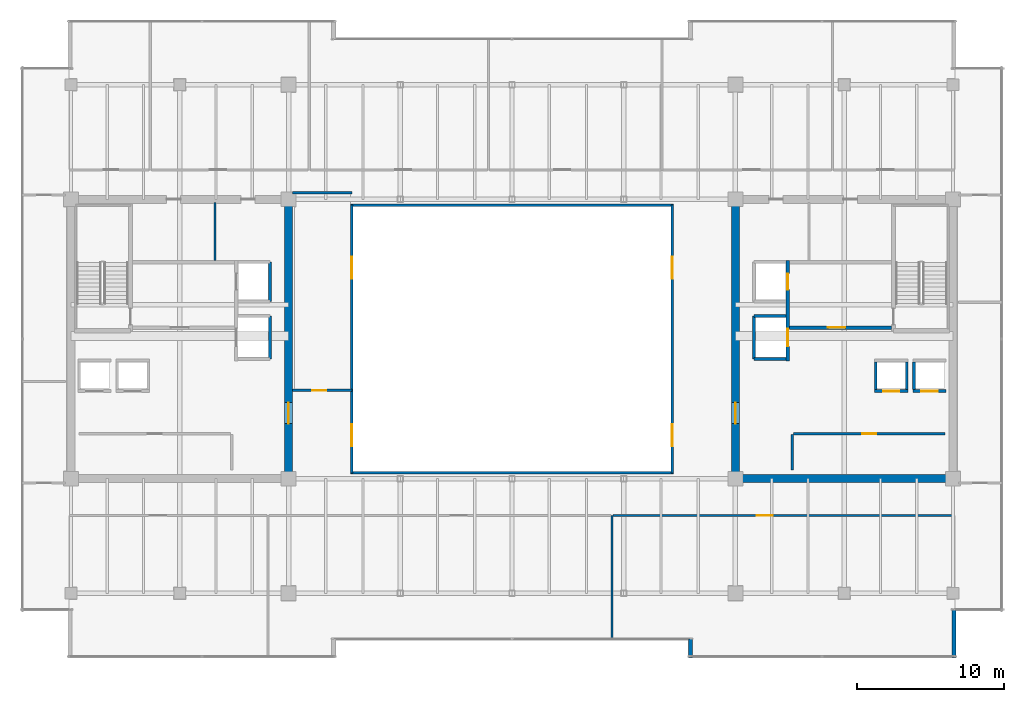
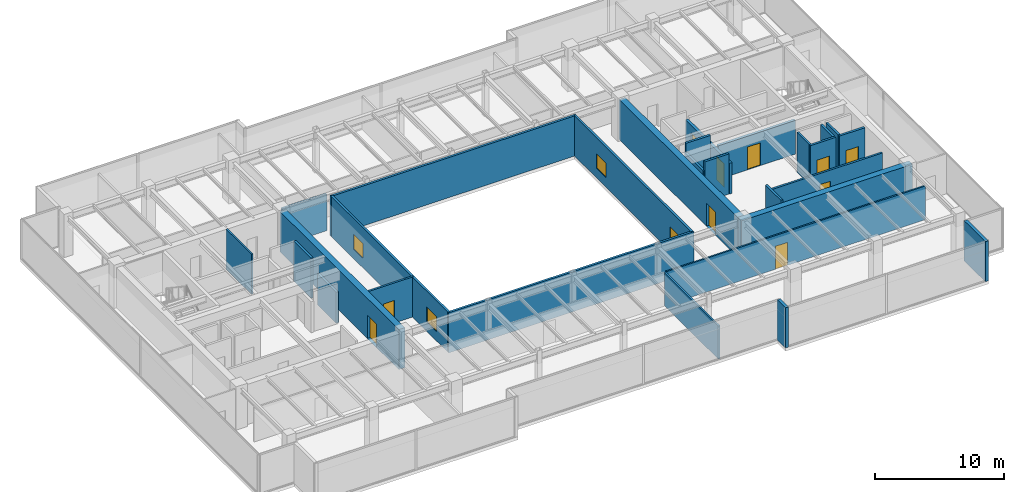
# One storey, part 29 of 35: 28 walls, 10 doors, 4 windows, 14 openings.
"""IFC4 building model written with IfcOpenShell, lengths in metres."""

from ifc_helpers import new_model, si_unit, direction, frame, frame_2d, origin, place, context, subcontext, project, spatial, rectangle, extrude, source, transform, mapped, material, layer, layer_set, type_object, type_shapes, element, fill, save


model = new_model("IFC4")

# Units and contexts
model_context = context("Model", 3, precision=1e-05, world=origin(), true_north=direction((0.0, 1.0)))
body_context = subcontext(model_context, "Body", "Model", "MODEL_VIEW")
ifc_project = project(units=[si_unit("LENGTHUNIT", "METRE"), si_unit("AREAUNIT", "SQUARE_METRE"), si_unit("VOLUMEUNIT", "CUBIC_METRE"), si_unit("PLANEANGLEUNIT", "RADIAN"), si_unit("MASSUNIT", "GRAM", prefix="KILO")], contexts=[model_context])

# Site, building, storey
site_placement = place(None, origin())
site = spatial("IfcSite", under=ifc_project, at=site_placement, CompositionType="ELEMENT")
building_placement = place(site_placement, origin())
building = spatial("IfcBuilding", under=site, at=building_placement, Name="Haelvirn Gate Laboratories", CompositionType="ELEMENT")
storey_placement = place(building_placement, frame((0.0, 0.0, 234.199951171875)))
storey = spatial("IfcBuildingStorey", under=building, at=storey_placement, Name="L56", CompositionType="ELEMENT", Elevation=234.199951171875)

# Walls
ifc_material_1 = material(Name="Thermally-broken bronze aluminium rainscreen & mineral wool", Category="aluminium")
ifc_layer_1 = layer(ifc_material_1, 0.280029296875, Name="EW-TERR-280")
ifc_layer_set_1 = layer_set([ifc_layer_1], Name="Thermally-broken bronze aluminium rainscreen & mineral wool")
wall_type_1 = type_object("IfcWallType", Name="EW-TERR-280", PredefinedType="STANDARD", material=ifc_layer_set_1)
wall_1_placement = place(storey_placement, frame((49.5400390625, 3.89306640625, 0.0), z_axis=(0.0, 0.0, 1.0), x_axis=(0.0, -1.0, 0.0)))
element("IfcWall", 1, at=wall_1_placement, inside=storey, type_object=wall_type_1, Name="L56 Atrium Recess Bronze Return Wall 03", PredefinedType="STANDARD", context=body_context, shape_type="SweptSolid", body=[
    extrude(rectangle(XDim=1.29296875, YDim=0.280029296875, at=frame_2d((0.646484375, 0.0))), origin(), (0.0, 0.0, 1.0), 3.800048828125),
])
wall_2_placement = place(storey_placement, frame((67.4599609375, 2.60009765625, 0.0), z_axis=(0.0, 0.0, 1.0), x_axis=(0.0, 1.0, 0.0)))
element("IfcWall", 2, at=wall_2_placement, inside=storey, type_object=wall_type_1, Name="L56 Atrium Recess Bronze Return Wall 05", PredefinedType="STANDARD", context=body_context, shape_type="SweptSolid", body=[
    extrude(rectangle(XDim=3.287841796875, YDim=0.280029296875, at=frame_2d((1.64404296875, 0.0))), origin(), (0.0, 0.0, 1.0), 3.800048828125),
])
ifc_material_2 = material(Name="Double-layer acoustic gypsum laboratory partition", Category="gypsum")
ifc_layer_2 = layer(ifc_material_2, 0.159912109375, Name="IW-ACOUST-160")
ifc_layer_set_2 = layer_set([ifc_layer_2], Name="Double-layer acoustic gypsum laboratory partition")
wall_type_2 = type_object("IfcWallType", Name="IW-ACOUST-160", PredefinedType="PARTITIONING", material=ifc_layer_set_2)
wall_3_placement = place(storey_placement, frame((44.199951171875, 3.909912109375, 0.0), z_axis=(0.0, 0.0, 1.0), x_axis=(0.0, 1.0, 0.0)))
element("IfcWall", 3, at=wall_3_placement, inside=storey, type_object=wall_type_2, Name="L56 Interior Wall IW-L56-SDIV-02", PredefinedType="PARTITIONING", context=body_context, shape_type="SweptSolid", body=[
    extrude(rectangle(XDim=8.380126953125, YDim=0.159912109375, at=frame_2d((4.18994140625, 0.0))), origin(), (0.0, 0.0, 1.0), 3.135009765625),
])
ifc_material_3 = material(Name="Fire-rated acoustic gypsum board partition", Category="gypsum")
ifc_layer_3 = layer(ifc_material_3, 0.175048828125, Name="IW-ACOUST-180")
ifc_layer_set_3 = layer_set([ifc_layer_3], Name="Fire-rated acoustic gypsum board partition")
wall_type_3 = type_object("IfcWallType", Name="IW-ACOUST-180", PredefinedType="PARTITIONING", material=ifc_layer_set_3)
wall_4_placement = place(storey_placement, frame((22.47509765625, 34.260009765625, 0.0), z_axis=(0.0, 0.0, 1.0), x_axis=(1.0, 0.0, 0.0)))
element("IfcWall", 4, at=wall_4_placement, inside=storey, type_object=wall_type_3, Name="L56 Interior Wall IW-L56-WPOD-N", PredefinedType="PARTITIONING", context=body_context, shape_type="SweptSolid", body=[
    extrude(rectangle(XDim=4.02490234375, YDim=0.175048828125, at=frame_2d((2.012451171875, 0.0))), origin(), (0.0, 0.0, 1.0), 3.485107421875),
])

# Wall, opening, door
wall_5_placement = place(storey_placement, frame((22.47509765625, 20.800048828125, 0.0), z_axis=(0.0, 0.0, 1.0), x_axis=(1.0, 0.0, 0.0)))
wall_5 = element("IfcWall", 5, at=wall_5_placement, inside=storey, type_object=wall_type_3, Name="L56 Interior Wall IW-L56-WPOD-S", PredefinedType="PARTITIONING", context=body_context, shape_type="SweptSolid", body=[
    extrude(rectangle(XDim=4.02490234375, YDim=0.175048828125, at=frame_2d((2.012451171875, 0.0))), origin(), (0.0, 0.0, 1.0), 3.800048828125),
])
opening_1_placement = place(wall_5_placement, frame((1.35009765625, 0.0, 0.0)))
opening_1 = element("IfcOpeningElement", 6, at=opening_1_placement, cuts=wall_5, Name="Opening FD4", PredefinedType="OPENING", context=body_context, shape_type="SweptSolid", body=[
    extrude(rectangle(XDim=0.949951171875, YDim=2.14990234375, at=frame_2d((0.47509765625, 1.074951171875))), frame((0.0, 0.09765625, 0.0), z_axis=(0.0, -1.0, 0.0), x_axis=(1.0, 0.0, 0.0)), (0.0, 0.0, 1.0), 0.195068359375),
])
ifc_material_4 = material(Name="Fire-rated steel SM355 core service door", Category="steel")
door_type_1 = type_object("IfcDoorType", Name="DR-FD-950", OperationType="NOTDEFINED", PredefinedType="DOOR", material=ifc_material_4)
shared_shape_1 = source(origin(), body_context, "Body", "SweptSolid", [
    extrude(rectangle(XDim=0.949951171875, YDim=2.14990234375, at=frame_2d((0.47509765625, 1.074951171875))), frame((0.0, 0.02490234375, 0.0), z_axis=(0.0, -1.0, 0.0), x_axis=(1.0, 0.0, 0.0)), (0.0, 0.0, 1.0), 0.050048828125),
])
type_shapes(door_type_1, [shared_shape_1])
door_1_placement = place(opening_1_placement, origin())
door_1 = element("IfcDoor", 7, at=door_1_placement, inside=storey, type_object=door_type_1, Name="L56 High-Zone Computational Suite Door", OperationType="SINGLE_SWING_RIGHT", OverallHeight=2.14990234375, OverallWidth=0.949951171875, PredefinedType="DOOR", context=body_context, shape_type="MappedRepresentation", body=[
    mapped(shared_shape_1, transform((0.0, 0.0, 0.0), scale=1.0)),
])
fill(opening_1, door_1)

# Wall, openings, windows
ifc_material_5 = material(Name="Tempered fire-rated borosilicate glass & anodised aluminium", Category="aluminium")
ifc_layer_4 = layer(ifc_material_5, 0.195068359375, Name="IW-GLAZ-200")
ifc_layer_set_4 = layer_set([ifc_layer_4], Name="Tempered fire-rated borosilicate glass & anodised aluminium")
wall_type_4 = type_object("IfcWallType", Name="IW-GLAZ-200", PredefinedType="SOLIDWALL", material=ifc_layer_set_4)
wall_6_placement = place(storey_placement, frame((26.5, 15.199951171875, 0.0), z_axis=(0.0, 0.0, 1.0), x_axis=(0.0, 1.0, 0.0)))
wall_6 = element("IfcWall", 8, at=wall_6_placement, inside=storey, type_object=wall_type_4, Name="L56 Interior Wall IW-L56-ATRIUM-W", PredefinedType="SOLIDWALL", context=body_context, shape_type="SweptSolid", body=[
    extrude(rectangle(XDim=18.199951171875, YDim=0.195068359375, at=frame_2d((9.10009765625, 0.0))), origin(), (0.0, 0.0, 1.0), 3.800048828125),
])
opening_2_placement = place(wall_6_placement, frame((1.800048828125, 0.0, 0.89990234375)))
opening_2 = element("IfcOpeningElement", 9, at=opening_2_placement, cuts=wall_6, Name="Opening W5", PredefinedType="OPENING", context=body_context, shape_type="SweptSolid", body=[
    extrude(rectangle(XDim=1.5, YDim=1.39990234375, at=frame_2d((0.75, 0.699951171875))), frame((0.0, 0.107421875, 0.0), z_axis=(0.0, -1.0, 0.0), x_axis=(1.0, 0.0, 0.0)), (0.0, 0.0, 1.0), 0.215087890625),
])
opening_3_placement = place(wall_6_placement, frame((13.199951171875, 0.0, 0.89990234375)))
opening_3 = element("IfcOpeningElement", 10, at=opening_3_placement, cuts=wall_6, Name="Opening W5", PredefinedType="OPENING", context=body_context, shape_type="SweptSolid", body=[
    extrude(rectangle(XDim=1.5, YDim=1.39990234375, at=frame_2d((0.75, 0.699951171875))), frame((0.0, 0.107421875, 0.0), z_axis=(0.0, -1.0, 0.0), x_axis=(1.0, 0.0, 0.0)), (0.0, 0.0, 1.0), 0.215087890625),
])
ifc_material_6 = material(Name="Fire-rated EI 120 borosilicate atrium vision glazing", Category="glass")
window_type = type_object("IfcWindowType", Name="WN-ATR-1500", PartitioningType="SINGLE_PANEL", PredefinedType="WINDOW", material=ifc_material_6)
shared_shape_2 = source(origin(), body_context, "Body", "SweptSolid", [
    extrude(rectangle(XDim=1.5, YDim=1.39990234375, at=frame_2d((0.75, 0.699951171875))), frame((0.0, 0.030029296875, 0.0), z_axis=(0.0, -1.0, 0.0), x_axis=(1.0, 0.0, 0.0)), (0.0, 0.0, 1.0), 0.06005859375),
])
type_shapes(window_type, [shared_shape_2])
window_1_placement = place(opening_2_placement, origin())
window_1 = element("IfcWindow", 11, at=window_1_placement, inside=storey, type_object=window_type, Name="L56 Atrium Observation Window 1", OverallHeight=1.39990234375, OverallWidth=1.5, PartitioningType="SINGLE_PANEL", PredefinedType="WINDOW", context=body_context, shape_type="MappedRepresentation", body=[
    mapped(shared_shape_2, transform((0.0, 0.0, 0.0), scale=1.0)),
])
fill(opening_2, window_1)
window_2_placement = place(opening_3_placement, origin())
window_2 = element("IfcWindow", 12, at=window_2_placement, inside=storey, type_object=window_type, Name="L56 Atrium Observation Window 2", OverallHeight=1.39990234375, OverallWidth=1.5, PartitioningType="SINGLE_PANEL", PredefinedType="WINDOW", context=body_context, shape_type="MappedRepresentation", body=[
    mapped(shared_shape_2, transform((0.0, 0.0, 0.0), scale=1.0)),
])
fill(opening_3, window_2)

wall_7_placement = place(storey_placement, frame((48.300048828125, 15.199951171875, 0.0), z_axis=(0.0, 0.0, 1.0), x_axis=(0.0, 1.0, 0.0)))
wall_7 = element("IfcWall", 13, at=wall_7_placement, inside=storey, type_object=wall_type_4, Name="L56 Interior Wall IW-L56-ATRIUM-E", PredefinedType="SOLIDWALL", context=body_context, shape_type="SweptSolid", body=[
    extrude(rectangle(XDim=18.199951171875, YDim=0.195068359375, at=frame_2d((9.10009765625, 0.0))), origin(), (0.0, 0.0, 1.0), 3.800048828125),
])
opening_4_placement = place(wall_7_placement, frame((1.800048828125, 0.0, 0.89990234375)))
opening_4 = element("IfcOpeningElement", 14, at=opening_4_placement, cuts=wall_7, Name="Opening W5", PredefinedType="OPENING", context=body_context, shape_type="SweptSolid", body=[
    extrude(rectangle(XDim=1.5, YDim=1.39990234375, at=frame_2d((0.75, 0.699951171875))), frame((0.0, 0.107421875, 0.0), z_axis=(0.0, -1.0, 0.0), x_axis=(1.0, 0.0, 0.0)), (0.0, 0.0, 1.0), 0.215087890625),
])
opening_5_placement = place(wall_7_placement, frame((13.199951171875, 0.0, 0.89990234375)))
opening_5 = element("IfcOpeningElement", 15, at=opening_5_placement, cuts=wall_7, Name="Opening W5", PredefinedType="OPENING", context=body_context, shape_type="SweptSolid", body=[
    extrude(rectangle(XDim=1.5, YDim=1.39990234375, at=frame_2d((0.75, 0.699951171875))), frame((0.0, 0.107421875, 0.0), z_axis=(0.0, -1.0, 0.0), x_axis=(1.0, 0.0, 0.0)), (0.0, 0.0, 1.0), 0.215087890625),
])
window_3_placement = place(opening_4_placement, origin())
window_3 = element("IfcWindow", 16, at=window_3_placement, inside=storey, type_object=window_type, Name="L56 Atrium Observation Window 1", OverallHeight=1.39990234375, OverallWidth=1.5, PartitioningType="SINGLE_PANEL", PredefinedType="WINDOW", context=body_context, shape_type="MappedRepresentation", body=[
    mapped(shared_shape_2, transform((0.0, 0.0, 0.0), scale=1.0)),
])
fill(opening_4, window_3)
window_4_placement = place(opening_5_placement, origin())
window_4 = element("IfcWindow", 17, at=window_4_placement, inside=storey, type_object=window_type, Name="L56 Atrium Observation Window 2", OverallHeight=1.39990234375, OverallWidth=1.5, PartitioningType="SINGLE_PANEL", PredefinedType="WINDOW", context=body_context, shape_type="MappedRepresentation", body=[
    mapped(shared_shape_2, transform((0.0, 0.0, 0.0), scale=1.0)),
])
fill(opening_5, window_4)

# Walls
for number, where, z_axis, x_axis, name in (
    (18, (26.39990234375, 15.199951171875, 0.0), (0.0, 0.0, 1.0), (1.0, 0.0, 0.0), "L56 Interior Wall IW-L56-ATRIUM-S"),
    (19, (26.39990234375, 33.39990234375, 0.0), (0.0, 0.0, 1.0), (1.0, 0.0, 0.0), "L56 Interior Wall IW-L56-ATRIUM-N"),
):
    element("IfcWall", number, at=place(storey_placement, frame(where, z_axis=z_axis, x_axis=x_axis)), inside=storey, type_object=wall_type_4, Name=name, PredefinedType="SOLIDWALL", context=body_context, shape_type="SweptSolid", body=[
        extrude(rectangle(XDim=22.0, YDim=0.195068359375, at=frame_2d((11.0, 0.0))), origin(), (0.0, 0.0, 1.0), 3.800048828125),
    ])

# Wall, opening, door
ifc_material_7 = material(Name="Acoustic mineral-wool gypsum board partition", Category="gypsum")
ifc_layer_5 = layer(ifc_material_7, 0.139892578125, Name="IW-PART-140")
ifc_layer_set_5 = layer_set([ifc_layer_5], Name="Acoustic mineral-wool gypsum board partition")
wall_type_5 = type_object("IfcWallType", Name="IW-PART-140", PredefinedType="PARTITIONING", material=ifc_layer_set_5)
wall_8_placement = place(storey_placement, frame((44.280029296875, 12.2900390625, 0.0), z_axis=(0.0, 0.0, 1.0), x_axis=(1.0, 0.0, 0.0)))
wall_8 = element("IfcWall", 20, at=wall_8_placement, inside=storey, type_object=wall_type_5, Name="L56 Interior Wall IW-L56-SCORR-03", PredefinedType="PARTITIONING", context=body_context, shape_type="SweptSolid", body=[
    extrude(rectangle(XDim=23.2099609375, YDim=0.139892578125, at=frame_2d((11.60498046875, 0.0))), origin(), (0.0, 0.0, 1.0), 3.197021484375),
])
opening_6_placement = place(wall_8_placement, frame((9.7705078125, 0.0, 0.0)))
opening_6 = element("IfcOpeningElement", 21, at=opening_6_placement, cuts=wall_8, Name="Opening D1", PredefinedType="OPENING", context=body_context, shape_type="SweptSolid", body=[
    extrude(rectangle(XDim=1.10009765625, YDim=2.179931640625, at=frame_2d((0.550048828125, 1.08984375))), frame((0.0, 0.080078125, 0.0), z_axis=(0.0, -1.0, 0.0), x_axis=(1.0, 0.0, 0.0)), (0.0, 0.0, 1.0), 0.159912109375),
])
ifc_material_8 = material(Name="Vision-panel acoustic solid-core timber lab door", Category="wood")
door_type_2 = type_object("IfcDoorType", Name="DR-LAB-1100", OperationType="NOTDEFINED", PredefinedType="DOOR", material=ifc_material_8)
shared_shape_3 = source(origin(), body_context, "Body", "SweptSolid", [
    extrude(rectangle(XDim=1.10009765625, YDim=2.179931640625, at=frame_2d((0.550048828125, 1.08984375))), frame((0.0, 0.02490234375, 0.0), z_axis=(0.0, -1.0, 0.0), x_axis=(1.0, 0.0, 0.0)), (0.0, 0.0, 1.0), 0.050048828125),
])
type_shapes(door_type_2, [shared_shape_3])
door_2_placement = place(opening_6_placement, origin())
door_2 = element("IfcDoor", 22, at=door_2_placement, inside=storey, type_object=door_type_2, Name="L56 Protocol Briefing Training Room Door S3", OperationType="SINGLE_SWING_LEFT", OverallHeight=2.179931640625, OverallWidth=1.10009765625, PredefinedType="DOOR", context=body_context, shape_type="MappedRepresentation", body=[
    mapped(shared_shape_3, transform((0.0, 0.0, 0.0), scale=1.0)),
])
fill(opening_6, door_2)

# Walls
ifc_material_9 = material(Name="Cement-board restroom plumbing chase wall", Category="gypsum")
ifc_layer_6 = layer(ifc_material_9, 0.155029296875, Name="IW-PLUMB-160")
ifc_layer_set_6 = layer_set([ifc_layer_6], Name="Cement-board restroom plumbing chase wall")
wall_type_6 = type_object("IfcWallType", Name="IW-PLUMB-160", PredefinedType="PLUMBINGWALL", material=ifc_layer_set_6)
wall_9_placement = place(storey_placement, frame((17.18994140625, 29.64990234375, 0.0), z_axis=(0.0, 0.0, 1.0), x_axis=(0.0, 1.0, 0.0)))
element("IfcWall", 23, at=wall_9_placement, inside=storey, type_object=wall_type_6, Name="L56 Interior Wall IW-L56-W-CDIV-1", PredefinedType="PLUMBINGWALL", context=body_context, shape_type="SweptSolid", body=[
    extrude(rectangle(XDim=3.93017578125, YDim=0.155029296875, at=frame_2d((1.965087890625, 0.0))), origin(), (0.0, 0.0, 1.0), 3.800048828125),
])
ifc_material_10 = material(Name="Concrete C40/50", Category="concrete")
ifc_layer_7 = layer(ifc_material_10, 0.179931640625, Name="IW-SHAFT-180")
ifc_layer_set_7 = layer_set([ifc_layer_7], Name="Concrete C40/50")
wall_type_7 = type_object("IfcWallType", Name="IW-SHAFT-180", PredefinedType="SOLIDWALL", material=ifc_layer_set_7)
for number, where, z_axis, x_axis, name in (
    (24, (64.75, 20.85009765625, 0.0), (0.0, 0.0, 1.0), (0.0, 1.0, 0.0), "L56 Interior Wall IW-L56-PL11-SD"),
    (25, (62.14990234375, 20.85009765625, 0.0), (0.0, 0.0, 1.0), (0.0, 1.0, 0.0), "L56 Interior Wall IW-L56-PL12-SD"),
    (26, (64.25, 20.85009765625, 0.0), (0.0, 0.0, 1.0), (0.0, 1.0, 0.0), "L56 Interior Wall IW-L56-PL12-SDE"),
):
    element("IfcWall", number, at=place(storey_placement, frame(where, z_axis=z_axis, x_axis=x_axis)), inside=storey, type_object=wall_type_7, Name=name, PredefinedType="SOLIDWALL", context=body_context, shape_type="SweptSolid", body=[
        extrude(rectangle(XDim=1.89990234375, YDim=0.179931640625, at=frame_2d((0.949951171875, 0.0))), origin(), (0.0, 0.0, 1.0), 3.800048828125),
    ])

# Wall, opening, door
wall_10_placement = place(storey_placement, frame((56.550048828125, 17.85009765625, 0.0), z_axis=(0.0, 0.0, 1.0), x_axis=(1.0, 0.0, 0.0)))
wall_10 = element("IfcWall", 27, at=wall_10_placement, inside=storey, type_object=wall_type_7, Name="L56 Interior Wall IW-L56-E-FREED-HN-1", PredefinedType="SOLIDWALL", context=body_context, shape_type="SweptSolid", body=[
    extrude(rectangle(XDim=10.300048828125, YDim=0.179931640625, at=frame_2d((5.14990234375, 0.0))), origin(), (0.0, 0.0, 1.0), 3.197021484375),
])
opening_7_placement = place(wall_10_placement, frame((4.675048828125, 0.0, 0.0)))
opening_7 = element("IfcOpeningElement", 28, at=opening_7_placement, cuts=wall_10, Name="Opening FD4", PredefinedType="OPENING", context=body_context, shape_type="SweptSolid", body=[
    extrude(rectangle(XDim=0.949951171875, YDim=2.14990234375, at=frame_2d((0.47509765625, 1.074951171875))), frame((0.0, 0.10009765625, 0.0), z_axis=(0.0, -1.0, 0.0), x_axis=(1.0, 0.0, 0.0)), (0.0, 0.0, 1.0), 0.199951171875),
])
door_3_placement = place(opening_7_placement, origin())
door_3 = element("IfcDoor", 29, at=door_3_placement, inside=storey, type_object=door_type_1, Name="L56 High-Zone Cryogenic Biobank Vault Door", OperationType="SINGLE_SWING_LEFT", OverallHeight=2.14990234375, OverallWidth=0.949951171875, PredefinedType="DOOR", context=body_context, shape_type="MappedRepresentation", body=[
    mapped(shared_shape_1, transform((0.0, 0.0, 0.0), scale=1.0)),
])
fill(opening_7, door_3)

# Walls
wall_11_placement = place(storey_placement, frame((56.4599609375, 15.39990234375, 0.0), z_axis=(0.0, 0.0, 1.0), x_axis=(0.0, 1.0, 0.0)))
element("IfcWall", 30, at=wall_11_placement, inside=storey, type_object=wall_type_7, Name="L56 Interior Wall IW-L56-E-FREED-HE-1", PredefinedType="SOLIDWALL", context=body_context, shape_type="SweptSolid", body=[
    extrude(rectangle(XDim=2.400146484375, YDim=0.179931640625, at=frame_2d((1.2001953125, 0.0))), origin(), (0.0, 0.0, 1.0), 3.800048828125),
])
ifc_layer_8 = layer(ifc_material_10, 0.199951171875, Name="IW-SHAFT-200")
ifc_layer_set_8 = layer_set([ifc_layer_8], Name="Concrete C40/50")
wall_type_8 = type_object("IfcWallType", Name="IW-SHAFT-200", PredefinedType="SOLIDWALL", material=ifc_layer_set_8)
wall_12_placement = place(storey_placement, frame((20.949951171875, 26.85009765625, 0.0), z_axis=(0.0, 0.0, 1.0), x_axis=(0.0, 1.0, 0.0)))
element("IfcWall", 31, at=wall_12_placement, inside=storey, type_object=wall_type_8, Name="L56 Interior Wall IW-L56-FL1-BK", PredefinedType="SOLIDWALL", context=body_context, shape_type="SweptSolid", body=[
    extrude(rectangle(XDim=2.699951171875, YDim=0.199951171875, at=frame_2d((1.35009765625, 0.0))), origin(), (0.0, 0.0, 1.0), 3.800048828125),
])
wall_13_placement = place(storey_placement, frame((20.949951171875, 22.949951171875, 0.0), z_axis=(0.0, 0.0, 1.0), x_axis=(0.0, 1.0, 0.0)))
element("IfcWall", 32, at=wall_13_placement, inside=storey, type_object=wall_type_8, Name="L56 Interior Wall IW-L56-SL1-BK", PredefinedType="SOLIDWALL", context=body_context, shape_type="SweptSolid", body=[
    extrude(rectangle(XDim=2.900146484375, YDim=0.199951171875, at=frame_2d((1.4501953125, 0.0))), origin(), (0.0, 0.0, 1.0), 2.93505859375),
])

# Wall, opening, door
wall_14_placement = place(storey_placement, frame((64.669921875, 20.75, 0.0), z_axis=(0.0, 0.0, 1.0), x_axis=(1.0, 0.0, 0.0)))
wall_14 = element("IfcWall", 33, at=wall_14_placement, inside=storey, type_object=wall_type_8, Name="L56 Interior Wall IW-L56-PL11-FR", PredefinedType="SOLIDWALL", context=body_context, shape_type="SweptSolid", body=[
    extrude(rectangle(XDim=2.260009765625, YDim=0.199951171875, at=frame_2d((1.1298828125, 0.0))), origin(), (0.0, 0.0, 1.0), 3.800048828125),
])
opening_8_placement = place(wall_14_placement, frame((0.580078125, 0.0, 0.0)))
opening_8 = element("IfcOpeningElement", 34, at=opening_8_placement, cuts=wall_14, Name="Opening LD2", PredefinedType="OPENING", context=body_context, shape_type="SweptSolid", body=[
    extrude(rectangle(XDim=1.10009765625, YDim=2.219970703125, at=frame_2d((0.550048828125, 1.10986328125))), frame((0.0, 0.10986328125, 0.0), z_axis=(0.0, -1.0, 0.0), x_axis=(1.0, 0.0, 0.0)), (0.0, 0.0, 1.0), 0.219970703125),
])
ifc_material_11 = material(Name="Bronze stainless 316L sliding lift landing door")
door_type_3 = type_object("IfcDoorType", Name="DR-LD-1100", OperationType="NOTDEFINED", PredefinedType="USERDEFINED", material=ifc_material_11)
shared_shape_4 = source(origin(), body_context, "Body", "SweptSolid", [
    extrude(rectangle(XDim=1.10009765625, YDim=2.219970703125, at=frame_2d((0.550048828125, 1.10986328125))), frame((0.0, 0.02490234375, 0.0), z_axis=(0.0, -1.0, 0.0), x_axis=(1.0, 0.0, 0.0)), (0.0, 0.0, 1.0), 0.050048828125),
])
type_shapes(door_type_3, [shared_shape_4])
door_4_placement = place(opening_8_placement, origin())
door_4 = element("IfcDoor", 35, at=door_4_placement, inside=storey, type_object=door_type_3, Name="L56 Passenger Lift PL11 Landing Door", ObjectType="LANDING_DOOR", OperationType="SLIDING_TO_LEFT", OverallHeight=2.219970703125, OverallWidth=1.10009765625, PredefinedType="USERDEFINED", context=body_context, shape_type="MappedRepresentation", body=[
    mapped(shared_shape_4, transform((0.0, 0.0, 0.0), scale=1.0)),
])
fill(opening_8, door_4)

wall_15_placement = place(storey_placement, frame((62.070068359375, 20.75, 0.0), z_axis=(0.0, 0.0, 1.0), x_axis=(1.0, 0.0, 0.0)))
wall_15 = element("IfcWall", 36, at=wall_15_placement, inside=storey, type_object=wall_type_8, Name="L56 Interior Wall IW-L56-PL12-FR", PredefinedType="SOLIDWALL", context=body_context, shape_type="SweptSolid", body=[
    extrude(rectangle(XDim=2.260009765625, YDim=0.199951171875, at=frame_2d((1.1298828125, 0.0))), origin(), (0.0, 0.0, 1.0), 3.800048828125),
])
opening_9_placement = place(wall_15_placement, frame((0.580078125, 0.0, 0.0)))
opening_9 = element("IfcOpeningElement", 37, at=opening_9_placement, cuts=wall_15, Name="Opening LD2", PredefinedType="OPENING", context=body_context, shape_type="SweptSolid", body=[
    extrude(rectangle(XDim=1.10009765625, YDim=2.219970703125, at=frame_2d((0.550048828125, 1.10986328125))), frame((0.0, 0.10986328125, 0.0), z_axis=(0.0, -1.0, 0.0), x_axis=(1.0, 0.0, 0.0)), (0.0, 0.0, 1.0), 0.219970703125),
])
door_5_placement = place(opening_9_placement, origin())
door_5 = element("IfcDoor", 38, at=door_5_placement, inside=storey, type_object=door_type_3, Name="L56 Passenger Lift PL12 Landing Door", ObjectType="LANDING_DOOR", OperationType="SLIDING_TO_RIGHT", OverallHeight=2.219970703125, OverallWidth=1.10009765625, PredefinedType="USERDEFINED", context=body_context, shape_type="MappedRepresentation", body=[
    mapped(shared_shape_4, transform((0.0, 0.0, 0.0), scale=1.0)),
])
fill(opening_9, door_5)

# Walls
wall_16_placement = place(storey_placement, frame((53.85009765625, 22.949951171875, 0.0), z_axis=(0.0, 0.0, 1.0), x_axis=(0.0, 1.0, 0.0)))
element("IfcWall", 39, at=wall_16_placement, inside=storey, type_object=wall_type_8, Name="L56 Interior Wall IW-L56-SL2-BK", PredefinedType="SOLIDWALL", context=body_context, shape_type="SweptSolid", body=[
    extrude(rectangle(XDim=2.900146484375, YDim=0.199951171875, at=frame_2d((1.4501953125, 0.0))), origin(), (0.0, 0.0, 1.0), 2.93505859375),
])
for number, where, z_axis, x_axis, name in (
    (40, (53.85009765625, 25.85009765625, 0.0), (0.0, 0.0, 1.0), (1.0, 0.0, 0.0), "L56 Interior Wall IW-L56-SL2-N"),
    (41, (53.85009765625, 22.949951171875, 0.0), (0.0, 0.0, 1.0), (1.0, 0.0, 0.0), "L56 Interior Wall IW-L56-SL2-S"),
):
    element("IfcWall", number, at=place(storey_placement, frame(where, z_axis=z_axis, x_axis=x_axis)), inside=storey, type_object=wall_type_8, Name=name, PredefinedType="SOLIDWALL", context=body_context, shape_type="SweptSolid", body=[
        extrude(rectangle(XDim=2.18994140625, YDim=0.199951171875, at=frame_2d((1.094970703125, 0.0))), origin(), (0.0, 0.0, 1.0), 3.800048828125),
    ])

# Wall, opening, door
ifc_layer_9 = layer(ifc_material_10, 0.239990234375, Name="IW-SHAFT-240")
ifc_layer_set_9 = layer_set([ifc_layer_9], Name="Concrete C40/50")
wall_type_9 = type_object("IfcWallType", Name="IW-SHAFT-240", PredefinedType="SOLIDWALL", material=ifc_layer_set_9)
wall_17_placement = place(storey_placement, frame((56.280029296875, 25.080078125, 0.0), z_axis=(0.0, 0.0, 1.0), x_axis=(1.0, 0.0, 0.0)))
wall_17 = element("IfcWall", 42, at=wall_17_placement, inside=storey, type_object=wall_type_9, Name="L56 Interior Wall IW-L56-E-FF-S", PredefinedType="SOLIDWALL", context=body_context, shape_type="SweptSolid", body=[
    extrude(rectangle(XDim=6.919921875, YDim=0.239990234375, at=frame_2d((3.4599609375, 0.0))), origin(), (0.0, 0.0, 1.0), 3.197021484375),
])
opening_10_placement = place(wall_17_placement, frame((2.60009765625, 0.0, 0.0)))
opening_10 = element("IfcOpeningElement", 43, at=opening_10_placement, cuts=wall_17, Name="Opening FD2", PredefinedType="OPENING", context=body_context, shape_type="SweptSolid", body=[
    extrude(rectangle(XDim=1.199951171875, YDim=2.159912109375, at=frame_2d((0.60009765625, 1.080078125))), frame((0.0, 0.1298828125, 0.0), z_axis=(0.0, -1.0, 0.0), x_axis=(1.0, 0.0, 0.0)), (0.0, 0.0, 1.0), 0.260009765625),
])
ifc_material_12 = material(Name="Fire-rated steel SM355 compartment door", Category="steel")
door_type_4 = type_object("IfcDoorType", Name="DR-FD-1200", OperationType="NOTDEFINED", PredefinedType="DOOR", material=ifc_material_12)
shared_shape_5 = source(origin(), body_context, "Body", "SweptSolid", [
    extrude(rectangle(XDim=1.199951171875, YDim=2.159912109375, at=frame_2d((0.60009765625, 1.080078125))), frame((0.0, 0.02490234375, 0.0), z_axis=(0.0, -1.0, 0.0), x_axis=(1.0, 0.0, 0.0)), (0.0, 0.0, 1.0), 0.050048828125),
])
type_shapes(door_type_4, [shared_shape_5])
door_6_placement = place(opening_10_placement, origin())
door_6 = element("IfcDoor", 44, at=door_6_placement, inside=storey, type_object=door_type_4, Name="L56 East Firefighting Lobby Door", OperationType="SINGLE_SWING_LEFT", OverallHeight=2.159912109375, OverallWidth=1.199951171875, PredefinedType="DOOR", context=body_context, shape_type="MappedRepresentation", body=[
    mapped(shared_shape_5, transform((0.0, 0.0, 0.0), scale=1.0)),
])
fill(opening_10, door_6)

# Wall, openings, doors
wall_18_placement = place(storey_placement, frame((56.159912109375, 22.800048828125, 0.0), z_axis=(0.0, 0.0, 1.0), x_axis=(0.0, 1.0, 0.0)))
wall_18 = element("IfcWall", 45, at=wall_18_placement, inside=storey, type_object=wall_type_9, Name="L56 Interior Wall IW-L56-E-FF-E", PredefinedType="SOLIDWALL", context=body_context, shape_type="SweptSolid", body=[
    extrude(rectangle(XDim=6.849853515625, YDim=0.239990234375, at=frame_2d((3.4248046875, 0.0))), origin(), (0.0, 0.0, 1.0), 2.93505859375),
])
opening_11_placement = place(wall_18_placement, frame((4.85009765625, 0.0, 0.0)))
opening_11 = element("IfcOpeningElement", 46, at=opening_11_placement, cuts=wall_18, Name="Opening LD2", PredefinedType="OPENING", context=body_context, shape_type="SweptSolid", body=[
    extrude(rectangle(XDim=1.10009765625, YDim=2.219970703125, at=frame_2d((0.550048828125, 1.10986328125))), frame((0.0, 0.1298828125, 0.0), z_axis=(0.0, -1.0, 0.0), x_axis=(1.0, 0.0, 0.0)), (0.0, 0.0, 1.0), 0.260009765625),
])
opening_12_placement = place(wall_18_placement, frame((1.0, 0.0, 0.0)))
opening_12 = element("IfcOpeningElement", 47, at=opening_12_placement, cuts=wall_18, Name="Opening LD1", PredefinedType="OPENING", context=body_context, shape_type="SweptSolid", body=[
    extrude(rectangle(XDim=1.199951171875, YDim=2.219970703125, at=frame_2d((0.60009765625, 1.10986328125))), frame((0.0, 0.1298828125, 0.0), z_axis=(0.0, -1.0, 0.0), x_axis=(1.0, 0.0, 0.0)), (0.0, 0.0, 1.0), 0.260009765625),
])
door_7_placement = place(opening_11_placement, origin())
door_7 = element("IfcDoor", 48, at=door_7_placement, inside=storey, type_object=door_type_3, Name="L56 Firefighting Lift FL2 Landing Door", ObjectType="LANDING_DOOR", OperationType="SLIDING_TO_RIGHT", OverallHeight=2.219970703125, OverallWidth=1.10009765625, PredefinedType="USERDEFINED", context=body_context, shape_type="MappedRepresentation", body=[
    mapped(shared_shape_4, transform((0.0, 0.0, 0.0), scale=1.0)),
])
fill(opening_11, door_7)
ifc_material_13 = material(Name="Stainless steel 316L sliding goods landing door", Category="steel")
door_type_5 = type_object("IfcDoorType", Name="DR-LD-1200", OperationType="NOTDEFINED", PredefinedType="USERDEFINED", material=ifc_material_13)
shared_shape_6 = source(origin(), body_context, "Body", "SweptSolid", [
    extrude(rectangle(XDim=1.199951171875, YDim=2.219970703125, at=frame_2d((0.60009765625, 1.10986328125))), frame((0.0, 0.02490234375, 0.0), z_axis=(0.0, -1.0, 0.0), x_axis=(1.0, 0.0, 0.0)), (0.0, 0.0, 1.0), 0.050048828125),
])
type_shapes(door_type_5, [shared_shape_6])
door_8_placement = place(opening_12_placement, origin())
door_8 = element("IfcDoor", 49, at=door_8_placement, inside=storey, type_object=door_type_5, Name="L56 Service Lift SL2 Landing Door", ObjectType="LANDING_DOOR", OperationType="SLIDING_TO_LEFT", OverallHeight=2.219970703125, OverallWidth=1.199951171875, PredefinedType="USERDEFINED", context=body_context, shape_type="MappedRepresentation", body=[
    mapped(shared_shape_6, transform((0.0, 0.0, 0.0), scale=1.0)),
])
fill(opening_12, door_8)

# Wall, opening, door
ifc_material_14 = material(Name="Concrete C50/60", Category="concrete")
ifc_layer_10 = layer(ifc_material_14, 0.550048828125, Name="SW-CORE-550")
ifc_layer_set_10 = layer_set([ifc_layer_10], Name="Concrete C50/60")
wall_type_10 = type_object("IfcWallType", Name="SW-CORE-550", PredefinedType="SHEAR", material=ifc_layer_set_10)
wall_19_placement = place(storey_placement, frame((22.199951171875, 15.074951171875, 0.0), z_axis=(0.0, 0.0, 1.0), x_axis=(0.0, 1.0, 0.0)))
wall_19 = element("IfcWall", 50, at=wall_19_placement, inside=storey, type_object=wall_type_10, Name="L56 W Core Shear Wall E", PredefinedType="SHEAR", context=body_context, shape_type="SweptSolid", body=[
    extrude(rectangle(XDim=18.449951171875, YDim=0.550048828125, at=frame_2d((9.22509765625, 0.0))), origin(), (0.0, 0.0, 1.0), 3.800048828125),
])
opening_13_placement = place(wall_19_placement, frame((3.47509765625, 0.0, 0.0)))
opening_13 = element("IfcOpeningElement", 51, at=opening_13_placement, cuts=wall_19, Name="Opening FD1", PredefinedType="OPENING", context=body_context, shape_type="SweptSolid", body=[
    extrude(rectangle(XDim=1.419921875, YDim=2.199951171875, at=frame_2d((0.7099609375, 1.10009765625))), frame((0.0, 0.28515625, 0.0), z_axis=(0.0, -1.0, 0.0), x_axis=(1.0, 0.0, 0.0)), (0.0, 0.0, 1.0), 0.570068359375),
])
ifc_material_15 = material(Name="Fire-rated double steel SM355 lobby door", Category="steel")
door_type_6 = type_object("IfcDoorType", Name="DR-FD-1400", OperationType="NOTDEFINED", PredefinedType="DOOR", material=ifc_material_15)
shared_shape_7 = source(origin(), body_context, "Body", "SweptSolid", [
    extrude(rectangle(XDim=1.419921875, YDim=2.199951171875, at=frame_2d((0.7099609375, 1.10009765625))), frame((0.0, 0.02490234375, 0.0), z_axis=(0.0, -1.0, 0.0), x_axis=(1.0, 0.0, 0.0)), (0.0, 0.0, 1.0), 0.050048828125),
])
type_shapes(door_type_6, [shared_shape_7])
door_9_placement = place(opening_13_placement, origin())
door_9 = element("IfcDoor", 52, at=door_9_placement, inside=storey, type_object=door_type_6, Name="L56 West Core Lift Lobby Fire Door", OperationType="DOUBLE_DOOR_SINGLE_SWING", OverallHeight=2.199951171875, OverallWidth=1.419921875, PredefinedType="DOOR", context=body_context, shape_type="MappedRepresentation", body=[
    mapped(shared_shape_7, transform((0.0, 0.0, 0.0), scale=1.0)),
])
fill(opening_13, door_9)

# Wall
wall_20_placement = place(storey_placement, frame((52.324951171875, 14.800048828125, 0.0), z_axis=(0.0, 0.0, 1.0), x_axis=(1.0, 0.0, 0.0)))
element("IfcWall", 53, at=wall_20_placement, inside=storey, type_object=wall_type_10, Name="L56 E Core Shear Wall S", PredefinedType="SHEAR", context=body_context, shape_type="SweptSolid", body=[
    extrude(rectangle(XDim=15.35009765625, YDim=0.550048828125, at=frame_2d((7.675048828125, 0.0))), origin(), (0.0, 0.0, 1.0), 3.800048828125),
])

# Wall, opening, door
wall_21_placement = place(storey_placement, frame((52.60009765625, 15.074951171875, 0.0), z_axis=(0.0, 0.0, 1.0), x_axis=(0.0, 1.0, 0.0)))
wall_21 = element("IfcWall", 54, at=wall_21_placement, inside=storey, type_object=wall_type_10, Name="L56 E Core Shear Wall W", PredefinedType="SHEAR", context=body_context, shape_type="SweptSolid", body=[
    extrude(rectangle(XDim=18.449951171875, YDim=0.550048828125, at=frame_2d((9.22509765625, 0.0))), origin(), (0.0, 0.0, 1.0), 3.800048828125),
])
opening_14_placement = place(wall_21_placement, frame((3.47509765625, 0.0, 0.0)))
opening_14 = element("IfcOpeningElement", 55, at=opening_14_placement, cuts=wall_21, Name="Opening FD1", PredefinedType="OPENING", context=body_context, shape_type="SweptSolid", body=[
    extrude(rectangle(XDim=1.419921875, YDim=2.199951171875, at=frame_2d((0.7099609375, 1.10009765625))), frame((0.0, 0.28515625, 0.0), z_axis=(0.0, -1.0, 0.0), x_axis=(1.0, 0.0, 0.0)), (0.0, 0.0, 1.0), 0.570068359375),
])
door_10_placement = place(opening_14_placement, origin())
door_10 = element("IfcDoor", 56, at=door_10_placement, inside=storey, type_object=door_type_6, Name="L56 East Core Lift Lobby Fire Door", OperationType="DOUBLE_DOOR_SINGLE_SWING", OverallHeight=2.199951171875, OverallWidth=1.419921875, PredefinedType="DOOR", context=body_context, shape_type="MappedRepresentation", body=[
    mapped(shared_shape_7, transform((0.0, 0.0, 0.0), scale=1.0)),
])
fill(opening_14, door_10)

save(model, "model.ifc")
